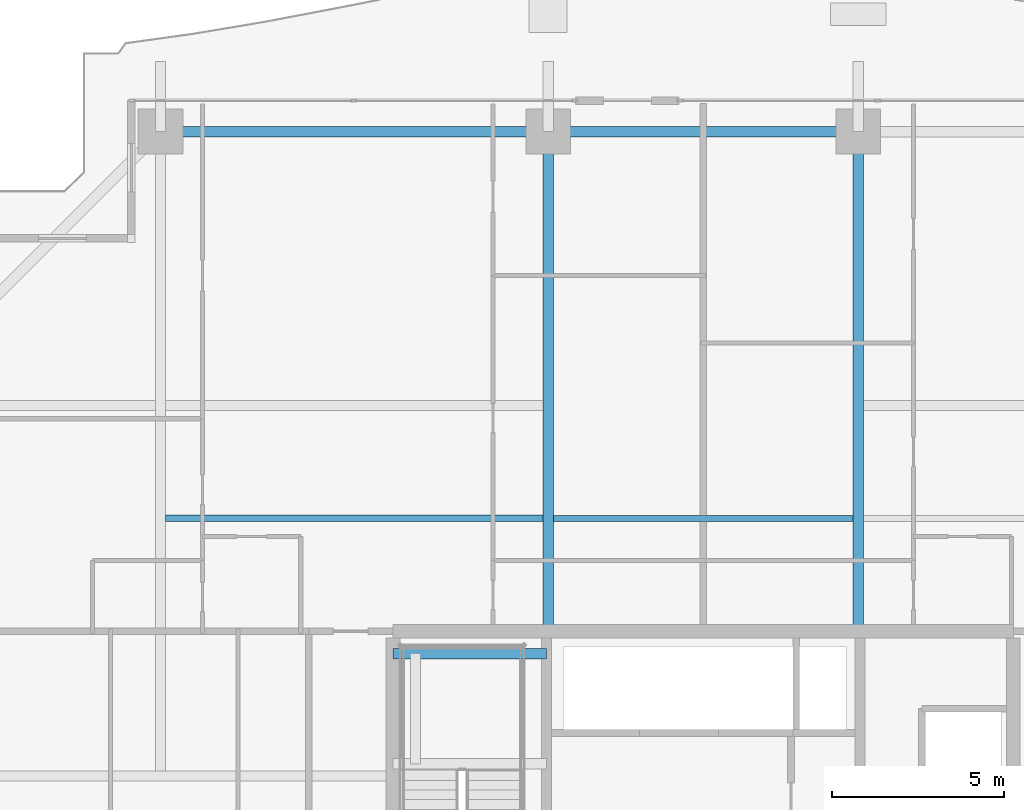
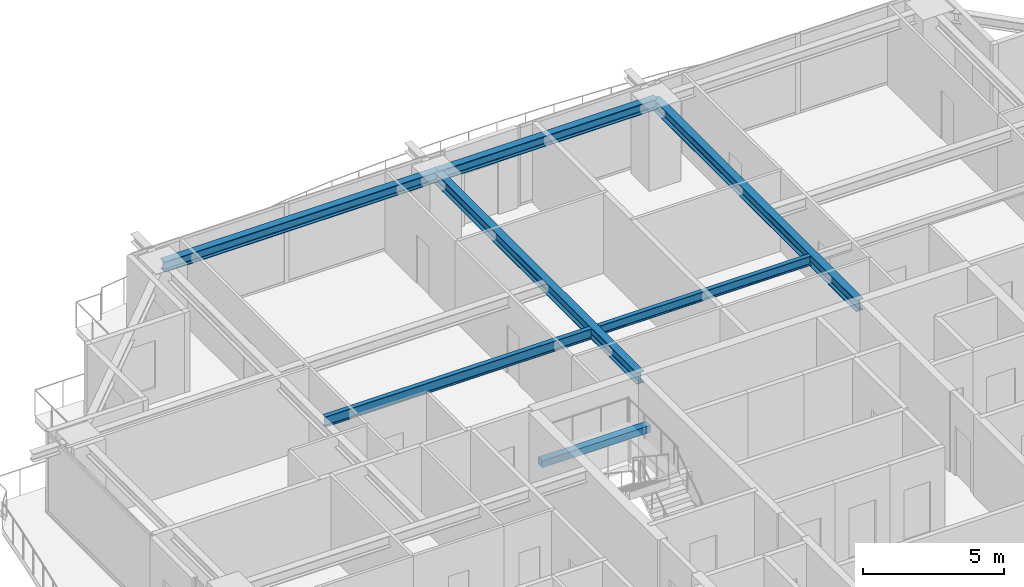
# One storey, part 20 of 37: 7 beams.
"""IFC4 building model written with IfcOpenShell, lengths in metres."""

from ifc_helpers import new_model, si_unit, direction, frame, origin, origin_2d, place, context, subcontext, project, spatial, rectangle, i_section, extrude, source, transform, mapped, material, material_profile, profile_set, type_object, element, save


model = new_model("IFC4")

# Units and contexts
model_context = context("Model", 3, precision=1e-05, world=origin(), true_north=direction((0.0, 1.0)))
body_context = subcontext(model_context, "Body", "Model", "MODEL_VIEW")
ifc_project = project(units=[si_unit("LENGTHUNIT", "METRE"), si_unit("AREAUNIT", "SQUARE_METRE"), si_unit("VOLUMEUNIT", "CUBIC_METRE"), si_unit("PLANEANGLEUNIT", "RADIAN"), si_unit("MASSUNIT", "GRAM", prefix="KILO")], contexts=[model_context])

# Site, building, storey
site_placement = place(None, origin())
site = spatial("IfcSite", under=ifc_project, at=site_placement, CompositionType="ELEMENT")
building_placement = place(site_placement, origin())
building = spatial("IfcBuilding", under=site, at=building_placement, Name="Serunith Strait Residences", CompositionType="ELEMENT")
storey_placement = place(building_placement, frame((0.0, 0.0, 127.64990234375)))
storey = spatial("IfcBuildingStorey", under=building, at=storey_placement, Name="L31", CompositionType="ELEMENT", Elevation=127.64990234375)

# Beams
ifc_material_1 = material(Name="Steel S355J2", Category="steel")
ifc_material_profile_1 = material_profile(ifc_material_1, i_section(OverallWidth=0.179931640625, OverallDepth=0.39990234375, WebThickness=0.008544921875, FlangeThickness=0.013427734375, FilletRadius=0.02099609375, at=origin_2d()), Name="IPE 400")
ifc_profile_set_1 = profile_set([ifc_material_profile_1], Name="Steel S355J2")
beam_type_1 = type_object("IfcBeamType", Name="BM-IPE400", PredefinedType="JOIST", material=ifc_profile_set_1)
shared_shape_1 = source(origin(), body_context, "Body", "SweptSolid", [
    extrude(i_section(OverallWidth=0.179931640625, OverallDepth=0.39990234375, WebThickness=0.008544921875, FlangeThickness=0.013427734375, FilletRadius=0.02099609375, at=origin_2d()), origin(), (0.0, 0.0, 1.0), 8.699951171875),
])
beam_1_placement = place(storey_placement, frame((28.050048828125, 36.875, 3.287109375), z_axis=(1.0, 0.0, 0.0), x_axis=(0.0, 1.0, 0.0)))
element("IfcBeam", 1, at=beam_1_placement, inside=storey, type_object=beam_type_1, Name="L31 Composite Floor Joist 05", PredefinedType="JOIST", context=body_context, shape_type="MappedRepresentation", body=[
    mapped(shared_shape_1, transform((0.0, 0.0, 0.0), scale=1.0)),
])
ifc_material_profile_2 = material_profile(ifc_material_1, i_section(OverallWidth=0.300048828125, OverallDepth=0.449951171875, WebThickness=0.013916015625, FlangeThickness=0.02587890625, FilletRadius=0.027099609375, at=origin_2d()), Name="HEB 450")
ifc_profile_set_2 = profile_set([ifc_material_profile_2], Name="Steel S355J2")
beam_type_2 = type_object("IfcBeamType", Name="BM-HEB450", PredefinedType="BEAM", material=ifc_profile_set_2)
shared_shape_2 = source(origin(), body_context, "Body", "SweptSolid", [
    extrude(i_section(OverallWidth=0.300048828125, OverallDepth=0.449951171875, WebThickness=0.013916015625, FlangeThickness=0.02587890625, FilletRadius=0.027099609375, at=origin_2d()), origin(), (0.0, 0.0, 1.0), 9.0),
])
beam_2_placement = place(storey_placement, frame((36.89990234375, 48.10009765625, 3.26220703125), z_axis=(-1.0, 0.0, 0.0), x_axis=(0.0, -1.0, 0.0)))
element("IfcBeam", 2, at=beam_2_placement, inside=storey, type_object=beam_type_2, Name="L31 Perimeter Ring Beam 10", PredefinedType="BEAM", context=body_context, shape_type="MappedRepresentation", body=[
    mapped(shared_shape_2, transform((0.0, 0.0, 0.0), scale=1.0)),
])
ifc_material_profile_3 = material_profile(ifc_material_1, i_section(OverallWidth=0.300048828125, OverallDepth=0.5, WebThickness=0.014404296875, FlangeThickness=0.028076171875, FilletRadius=0.027099609375, at=origin_2d()), Name="HEB 500")
ifc_profile_set_3 = profile_set([ifc_material_profile_3], Name="Steel S355J2")
beam_type_3 = type_object("IfcBeamType", Name="BM-HEB500", PredefinedType="BEAM", material=ifc_profile_set_3)
shared_shape_3 = source(origin(), body_context, "Body", "SweptSolid", [
    extrude(i_section(OverallWidth=0.300048828125, OverallDepth=0.5, WebThickness=0.014404296875, FlangeThickness=0.028076171875, FilletRadius=0.027099609375, at=origin_2d()), origin(), (0.0, 0.0, 1.0), 14.5),
])
for number, where, z_axis, x_axis, name in (
    (3, (27.89990234375, 33.60009765625, 3.237060546875), (0.0, 1.0, 0.0), (-1.0, 0.0, 0.0), "L31 Primary Floor Girder TC-N2"),
    (4, (36.89990234375, 33.60009765625, 3.237060546875), (0.0, 1.0, 0.0), (-1.0, 0.0, 0.0), "L31 Primary Floor Girder TC-N3"),
):
    element("IfcBeam", number, at=place(storey_placement, frame(where, z_axis=z_axis, x_axis=x_axis)), inside=storey, type_object=beam_type_3, Name=name, PredefinedType="BEAM", context=body_context, shape_type="MappedRepresentation", body=[
        mapped(shared_shape_3, transform((0.0, 0.0, 0.0), scale=1.0)),
    ])
shared_shape_4 = source(origin(), body_context, "Body", "SweptSolid", [
    extrude(i_section(OverallWidth=0.300048828125, OverallDepth=0.449951171875, WebThickness=0.013916015625, FlangeThickness=0.02587890625, FilletRadius=0.027099609375, at=origin_2d()), origin(), (0.0, 0.0, 1.0), 11.25),
])
beam_3_placement = place(storey_placement, frame((27.89990234375, 48.10009765625, 3.26220703125), z_axis=(-1.0, 0.0, 0.0), x_axis=(0.0, -1.0, 0.0)))
element("IfcBeam", 5, at=beam_3_placement, inside=storey, type_object=beam_type_2, Name="L31 Perimeter Ring Beam 11", PredefinedType="BEAM", context=body_context, shape_type="MappedRepresentation", body=[
    mapped(shared_shape_4, transform((0.0, 0.0, 0.0), scale=1.0)),
])
ifc_material_profile_4 = material_profile(ifc_material_1, i_section(OverallWidth=0.18994140625, OverallDepth=0.449951171875, WebThickness=0.009521484375, FlangeThickness=0.0146484375, FilletRadius=0.02099609375, at=origin_2d()), Name="IPE 450")
ifc_profile_set_4 = profile_set([ifc_material_profile_4], Name="Steel S355J2")
beam_type_4 = type_object("IfcBeamType", Name="BM-IPE450", PredefinedType="JOIST", material=ifc_profile_set_4)
shared_shape_5 = source(origin(), body_context, "Body", "SweptSolid", [
    extrude(i_section(OverallWidth=0.18994140625, OverallDepth=0.449951171875, WebThickness=0.009521484375, FlangeThickness=0.0146484375, FilletRadius=0.02099609375, at=origin_2d()), origin(), (0.0, 0.0, 1.0), 10.949951171875),
])
beam_4_placement = place(storey_placement, frame((16.800048828125, 36.875, 3.26220703125), z_axis=(1.0, 0.0, 0.0), x_axis=(0.0, 1.0, 0.0)))
element("IfcBeam", 6, at=beam_4_placement, inside=storey, type_object=beam_type_4, Name="L31 Composite Floor Joist 04", PredefinedType="JOIST", context=body_context, shape_type="MappedRepresentation", body=[
    mapped(shared_shape_5, transform((0.0, 0.0, 0.0), scale=1.0)),
])
ifc_material_2 = material(Name="Concrete C60/75", Category="concrete")
ifc_material_profile_5 = material_profile(ifc_material_2, rectangle(XDim=0.300048828125, YDim=0.300048828125, at=origin_2d()), Name="RC 300x300")
ifc_profile_set_5 = profile_set([ifc_material_profile_5], Name="Concrete C60/75")
beam_type_5 = type_object("IfcBeamType", Name="BM-LAND-300x300", PredefinedType="BEAM", material=ifc_profile_set_5)
shared_shape_6 = source(origin(), body_context, "Body", "SweptSolid", [
    extrude(rectangle(XDim=0.300048828125, YDim=0.300048828125, at=origin_2d()), origin(), (0.0, 0.0, 1.0), 4.4501953125),
])
beam_5_placement = place(storey_placement, frame((23.39990234375, 32.949951171875, 1.525146484375), z_axis=(1.0, 0.0, 0.0), x_axis=(0.0, 1.0, 0.0)))
element("IfcBeam", 7, at=beam_5_placement, inside=storey, type_object=beam_type_5, Name="L31 ST-1 Landing Support Beam 2", PredefinedType="BEAM", context=body_context, shape_type="MappedRepresentation", body=[
    mapped(shared_shape_6, transform((0.0, 0.0, 0.0), scale=1.0)),
])

save(model, "model.ifc")
